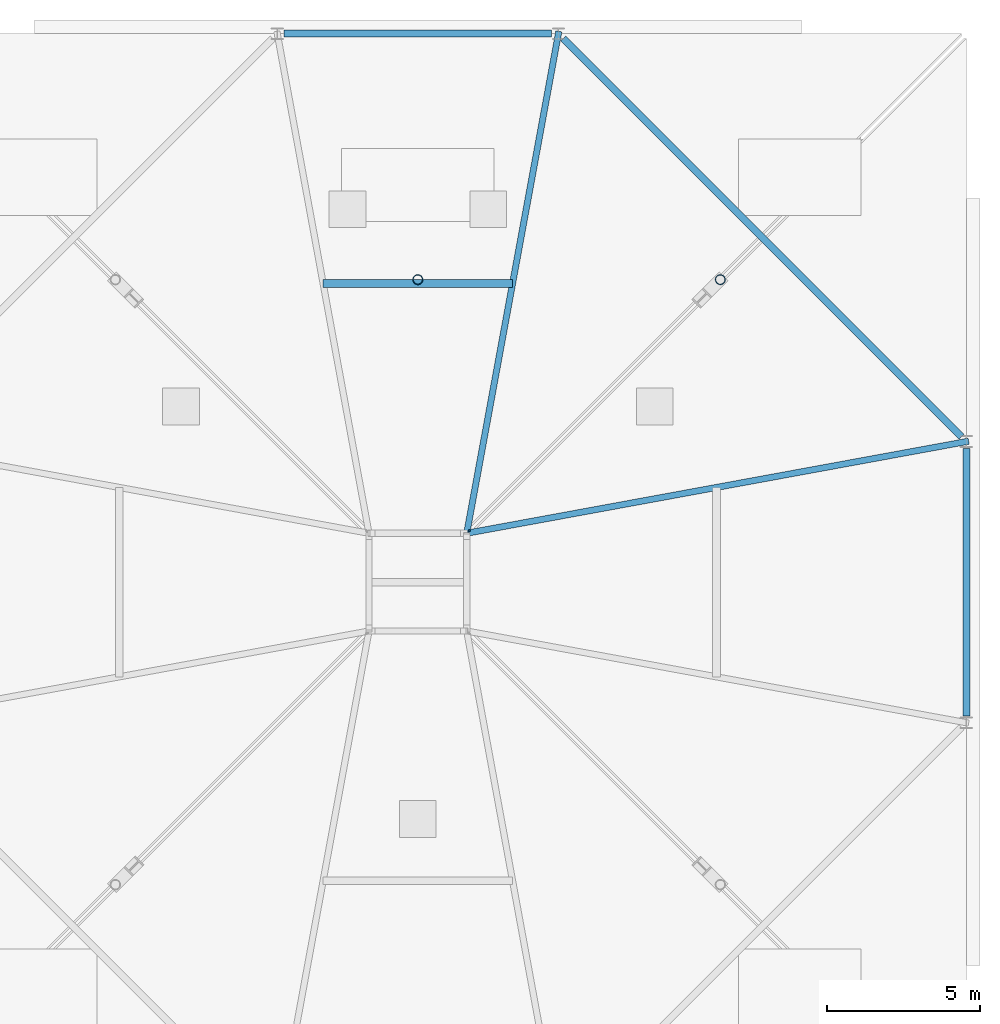
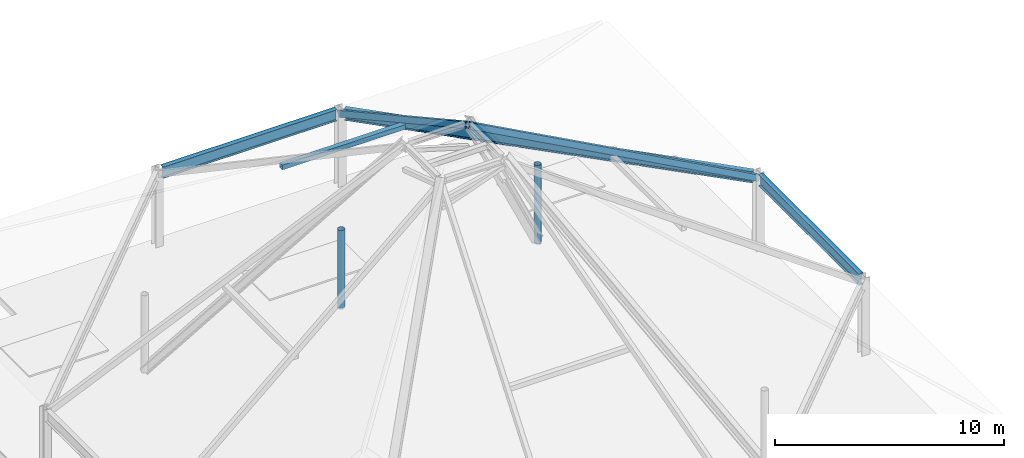
# One storey, part 5 of 7: 5 members, 3 beams.
"""IFC4 building model written with IfcOpenShell, lengths in metres."""

import ifcopenshell
import ifcopenshell.guid

model = None  # the IFC model being written
_history = None  # IfcOwnerHistory: only IFC2X3 demands one
_inside = {}  # id of a spatial element -> (the spatial element, [elements in it])
_under = {}  # id of a project, library or spatial element -> (it, [spatial elements below it])
_declared = {}  # id of a project -> (the project, [libraries it declares])
_typed = {}  # id of a type object -> (the type object, [elements of that type])
_made_of = {}  # id of a material, layer set ... -> (it, [elements and type objects made of it])


def new_model(schema):
    """Start an empty IFC model of exactly this schema.

    Asked for "IFC4X3", IfcOpenShell would pick the latest addendum, in which some entities
    have other attributes; the version numbers below select the first issue.
    IFC2X3 requires an IfcOwnerHistory on every rooted entity: one is made here for all.
    """
    global model, _history
    if schema == "IFC4X3":
        model = ifcopenshell.file(schema_version=(4, 3, 0, 0))
    else:
        model = ifcopenshell.file(schema=schema)
    _inside.clear()
    _under.clear()
    _declared.clear()
    _typed.clear()
    _made_of.clear()
    _history = None
    if model.schema == "IFC2X3":
        org = make("IfcOrganization", Name="unknown")
        user = make(
            "IfcPersonAndOrganization",
            ThePerson=make("IfcPerson", FamilyName="unknown"),
            TheOrganization=org,
        )
        app = make(
            "IfcApplication",
            ApplicationDeveloper=org,
            Version="unknown",
            ApplicationFullName="unknown",
            ApplicationIdentifier="unknown",
        )
        _history = make(
            "IfcOwnerHistory",
            OwningUser=user,
            OwningApplication=app,
            ChangeAction="ADDED",
            CreationDate=0,
        )
    return model


def make(cls, **values):
    """One entity of the class cls with the attributes given. An attribute that is None is left unset."""
    return model.create_entity(
        cls, **{name: value for name, value in values.items() if value is not None}
    )


def rooted(cls, **values):
    """An entity with a GlobalId (a new one), such as an element, a storey or a relation."""
    return make(cls, GlobalId=ifcopenshell.guid.new(), OwnerHistory=_history, **values)


def si_unit(unit_type, name, prefix=None):
    """IfcSIUnit, for example si_unit("LENGTHUNIT", "METRE", prefix="MILLI")."""
    return make("IfcSIUnit", UnitType=unit_type, Prefix=prefix, Name=name)


def assignment(units):
    """IfcUnitAssignment: the units of a project."""
    return None if units is None else make("IfcUnitAssignment", Units=units)


def point(xyz):
    """IfcCartesianPoint."""
    return None if xyz is None else make("IfcCartesianPoint", Coordinates=xyz)


def direction(xyz):
    """IfcDirection."""
    return None if xyz is None else make("IfcDirection", DirectionRatios=xyz)


def frame(location, z_axis=None, x_axis=None):
    """IfcAxis2Placement3D, a coordinate frame: its origin and axes. An axis left out is left unset."""
    return make(
        "IfcAxis2Placement3D",
        Location=point(location),
        Axis=direction(z_axis),
        RefDirection=direction(x_axis),
    )


def frame_2d(location, x_axis=None):
    """IfcAxis2Placement2D, a coordinate frame in the plane: its origin and x axis."""
    return make(
        "IfcAxis2Placement2D", Location=point(location), RefDirection=direction(x_axis)
    )


def origin():
    """The frame at (0, 0, 0) with its axes left unset."""
    return frame((0.0, 0.0, 0.0))


def origin_2d():
    """The frame at (0, 0) in the plane with its x axis left unset."""
    return frame_2d((0.0, 0.0))


def place(relative_to, where):
    """IfcLocalPlacement: puts the frame where relative to a parent placement (None: the world)."""
    return make(
        "IfcLocalPlacement", PlacementRelTo=relative_to, RelativePlacement=where
    )


def context(
    kind, dimensions, precision=None, world=None, true_north=None, identifier=None
):
    """IfcGeometricRepresentationContext, for example the 3D "Model" context."""
    return make(
        "IfcGeometricRepresentationContext",
        ContextIdentifier=identifier,
        ContextType=kind,
        CoordinateSpaceDimension=dimensions,
        Precision=precision,
        WorldCoordinateSystem=world,
        TrueNorth=true_north,
    )


def subcontext(parent, identifier, kind, view, scale=None):
    """IfcGeometricRepresentationSubContext, for example "Body" below "Model"."""
    return make(
        "IfcGeometricRepresentationSubContext",
        ContextIdentifier=identifier,
        ContextType=kind,
        ParentContext=parent,
        TargetScale=scale,
        TargetView=view,
    )


def project(units=None, contexts=None):
    """IfcProject with its units and contexts."""
    return rooted(
        "IfcProject",
        Name="project",
        RepresentationContexts=contexts,
        UnitsInContext=assignment(units),
    )


def spatial(cls, under=None, at=None, **own):
    """A site, building, storey or space (cls), placed at a placement, below another one or the project."""
    s = rooted(cls, ObjectPlacement=at, **own)
    if under is not None:
        _under.setdefault(under.id(), (under, []))[1].append(s)
    return s


def profile(cls, at=None, kind="AREA", **sizes):
    """A parametric profile (cls). Its sizes go by their IFC names, for example OverallWidth=200.0."""
    return make(cls, ProfileType=kind, Position=at, **sizes)


def hollow_rectangle(**sizes):
    """IfcRectangleHollowProfileDef."""
    return profile("IfcRectangleHollowProfileDef", **sizes)


def hollow_circle(**sizes):
    """IfcCircleHollowProfileDef."""
    return profile("IfcCircleHollowProfileDef", **sizes)


def i_section(**sizes):
    """IfcIShapeProfileDef."""
    return profile("IfcIShapeProfileDef", **sizes)


def extrude(swept, where, along, depth):
    """IfcExtrudedAreaSolid: the profile swept, set in the frame where, extruded along a direction by depth."""
    return make(
        "IfcExtrudedAreaSolid",
        SweptArea=swept,
        Position=where,
        ExtrudedDirection=direction(along),
        Depth=depth,
    )


def shape(context_of_items, identifier, shape_type, items):
    """IfcShapeRepresentation: the items that make up one representation, for example the "Body"."""
    return make(
        "IfcShapeRepresentation",
        ContextOfItems=context_of_items,
        RepresentationIdentifier=identifier,
        RepresentationType=shape_type,
        Items=items,
    )


def material(Name=None, Category=None):
    """IfcMaterial."""
    return make("IfcMaterial", Name=Name, Category=Category)


def material_profile(
    of_material, cross_section, Name=None, Category=None, Priority=None
):
    """IfcMaterialProfile: a cross section and its material."""
    return make(
        "IfcMaterialProfile",
        Name=Name,
        Material=of_material,
        Profile=cross_section,
        Priority=Priority,
        Category=Category,
    )


def profile_set(profiles, Name=None, composite=None):
    """IfcMaterialProfileSet."""
    return make(
        "IfcMaterialProfileSet",
        Name=Name,
        MaterialProfiles=profiles,
        CompositeProfile=composite,
    )


def made_of(thing, what):
    """Note that an element or type object is made of a material, layer set ...; save() writes the relation."""
    if what is not None:
        _made_of.setdefault(what.id(), (what, []))[1].append(thing)
    return thing


def type_object(cls, material=None, **own):
    """A type object (cls), such as IfcWallType, which elements share."""
    return made_of(rooted(cls, **own), material)


def element(
    cls,
    number,
    at=None,
    inside=None,
    cuts=None,
    type_object=None,
    material=None,
    context=None,
    identifier="Body",
    shape_type=None,
    held_by="IfcProductDefinitionShape",
    body=None,
    shapes=None,
    **own,
):
    """One element of the class cls, such as IfcWall. Its Tag is "e" and its number.

    at: its placement. inside: the storey or other place that contains it. cuts: it is an
    opening in that element (IfcRelVoidsElement). A single representation is given by context,
    identifier, shape_type and body (its items); several are given by shapes. held_by: the class
    of the entity that holds the representations. save() writes the other relations.
    """
    e = rooted(cls, Tag="e%d" % number, ObjectPlacement=at, **own)
    if body is not None:
        shapes = [shape(context, identifier, shape_type, body)]
    if shapes is not None:
        e.Representation = make(held_by, Representations=shapes)
    if inside is not None:
        _inside.setdefault(inside.id(), (inside, []))[1].append(e)
    if cuts is not None:
        rooted(
            "IfcRelVoidsElement", RelatingBuildingElement=cuts, RelatedOpeningElement=e
        )
    if type_object is not None:
        _typed.setdefault(type_object.id(), (type_object, []))[1].append(e)
    return made_of(e, material)


def aggregate(whole, parts):
    """IfcRelAggregates: a whole, such as a stair, and the parts it consists of."""
    return rooted("IfcRelAggregates", RelatingObject=whole, RelatedObjects=parts)


def save(model, path):
    """Write the relations noted so far, then the file.

    IfcRelAggregates (storeys below a building ...), IfcRelContainedInSpatialStructure (elements
    in a storey), IfcRelDefinesByType, IfcRelAssociatesMaterial and IfcRelDeclares: one each for
    every whole, place, type object, material and project.
    """
    for whole, parts in _under.values():
        aggregate(whole, parts)
    for where, things in _inside.values():
        rooted(
            "IfcRelContainedInSpatialStructure",
            RelatedElements=things,
            RelatingStructure=where,
        )
    for kind, things in _typed.values():
        rooted("IfcRelDefinesByType", RelatedObjects=things, RelatingType=kind)
    for what, things in _made_of.values():
        rooted("IfcRelAssociatesMaterial", RelatedObjects=things, RelatingMaterial=what)
    for by, libraries in _declared.values():
        rooted("IfcRelDeclares", RelatingContext=by, RelatedDefinitions=libraries)
    model.write(path)


model = new_model("IFC4")

# Units and contexts
model_context = context("Model", 3, precision=1e-05, world=origin(), true_north=direction((0.0, 1.0)))
body_context = subcontext(model_context, "Body", "Model", "MODEL_VIEW")
ifc_project = project(units=[si_unit("LENGTHUNIT", "METRE"), si_unit("AREAUNIT", "SQUARE_METRE"), si_unit("VOLUMEUNIT", "CUBIC_METRE"), si_unit("PLANEANGLEUNIT", "RADIAN"), si_unit("MASSUNIT", "GRAM", prefix="KILO")], contexts=[model_context])

# Site, building, storey
site_placement = place(None, origin())
site = spatial("IfcSite", under=ifc_project, at=site_placement, CompositionType="ELEMENT")
building_placement = place(site_placement, origin())
building = spatial("IfcBuilding", under=site, at=building_placement, Name="Kolvaren Belvedere", CompositionType="ELEMENT")
storey_placement = place(building_placement, frame((0.0, 0.0, 287.39990234375)))
storey = spatial("IfcBuildingStorey", under=building, at=storey_placement, Name="RF", CompositionType="ELEMENT", Elevation=287.39990234375)

# Beams
ifc_material_1 = material(Name="Structural steel ASTM A992 Grade 50", Category="steel")
ifc_material_profile_1 = material_profile(ifc_material_1, i_section(OverallWidth=0.22900390625, OverallDepth=0.612060546875, WebThickness=0.011962890625, FlangeThickness=0.01953125, FilletRadius=0.01806640625, at=origin_2d()), Name="W24X84")
ifc_profile_set_1 = profile_set([ifc_material_profile_1], Name="Structural steel ASTM A992 Grade 50")
beam_type = type_object("IfcBeamType", Name="BM-SPAN-W24X84", PredefinedType="SPANDREL", material=ifc_profile_set_1)
beam_1_placement = place(storey_placement, frame((17.949951171875, -4.3798828125, 3.89013671875), z_axis=(0.0, 1.0, 0.0), x_axis=(-1.0, 0.0, 0.0)))
element("IfcBeam", 1, at=beam_1_placement, inside=storey, type_object=beam_type, Name="RF Canopy Eave Ring Spandrel 3", PredefinedType="SPANDREL", context=body_context, shape_type="SweptSolid", body=[
    extrude(i_section(OverallWidth=0.22900390625, OverallDepth=0.612060546875, WebThickness=0.011962890625, FlangeThickness=0.01953125, FilletRadius=0.01806640625, at=origin_2d()), origin(), (0.0, 0.0, 1.0), 8.759765625),
])
beam_2_placement = place(storey_placement, frame((17.79443359375, 4.755615234375, 3.89013671875), z_axis=(-0.707106781187, 0.707106781187, 0.0), x_axis=(-0.707106781187, -0.707106781187, 0.0)))
element("IfcBeam", 2, at=beam_2_placement, inside=storey, type_object=beam_type, Name="RF Canopy Eave Ring Spandrel 4", PredefinedType="SPANDREL", context=body_context, shape_type="SweptSolid", body=[
    extrude(i_section(OverallWidth=0.22900390625, OverallDepth=0.612060546875, WebThickness=0.011962890625, FlangeThickness=0.01953125, FilletRadius=0.01806640625, at=origin_2d()), origin(), (0.0, 0.0, 1.0), 18.439697265625),
])
beam_3_placement = place(storey_placement, frame((4.3798828125, 17.949951171875, 3.89013671875), z_axis=(-1.0, 0.0, 0.0), x_axis=(0.0, -1.0, 0.0)))
element("IfcBeam", 3, at=beam_3_placement, inside=storey, type_object=beam_type, Name="RF Canopy Eave Ring Spandrel 5", PredefinedType="SPANDREL", context=body_context, shape_type="SweptSolid", body=[
    extrude(i_section(OverallWidth=0.22900390625, OverallDepth=0.612060546875, WebThickness=0.011962890625, FlangeThickness=0.01953125, FilletRadius=0.01806640625, at=origin_2d()), origin(), (0.0, 0.0, 1.0), 8.759765625),
])

# Members
ifc_material_2 = material(Name="Structural steel ASTM A500 Grade C", Category="steel")
ifc_material_profile_2 = material_profile(ifc_material_2, hollow_circle(Radius=0.162109375, WallThickness=0.01171875, at=origin_2d()), Name="HSS12.750X0.500")
ifc_profile_set_2 = profile_set([ifc_material_profile_2], Name="Structural steel ASTM A500 Grade C")
member_type_1 = type_object("IfcMemberType", Name="MB-CAN-POST", PredefinedType="POST", material=ifc_profile_set_2)
for number, where, z_axis, x_axis, name in (
    (4, (9.89990234375, 9.89990234375, 0.0), (0.0, 0.0, 1.0), (1.0, 0.0, 0.0), "RF Canopy Interior Strut Post 3"),
    (5, (0.0, 9.89990234375, 0.0), (0.0, 0.0, 1.0), (1.0, 0.0, 0.0), "RF Canopy North Strut Post 5"),
):
    element("IfcMember", number, at=place(storey_placement, frame(where, z_axis=z_axis, x_axis=x_axis)), inside=storey, type_object=member_type_1, Name=name, PredefinedType="POST", context=body_context, shape_type="SweptSolid", body=[
        extrude(hollow_circle(Radius=0.162109375, WallThickness=0.01171875, at=origin_2d()), origin(), (0.0, 0.0, 1.0), 4.2001953125),
    ])
ifc_material_3 = material(Name="Structural steel ASTM A500 Grade C", Category="steel")
ifc_material_profile_3 = material_profile(ifc_material_3, hollow_rectangle(XDim=0.25390625, YDim=0.25390625, WallThickness=0.01171875, at=origin_2d()), Name="HSS10X10X1/2")
ifc_profile_set_3 = profile_set([ifc_material_profile_3], Name="Structural steel ASTM A500 Grade C")
member_type_2 = type_object("IfcMemberType", Name="MB-CAN-PURLIN", PredefinedType="MEMBER", material=ifc_profile_set_3)
member_placement = place(storey_placement, frame((3.10009765625, 9.77490234375, 8.68505859375), z_axis=(-1.0, 0.0, 0.0), x_axis=(0.0, -1.0, 0.0)))
element("IfcMember", 6, at=member_placement, inside=storey, type_object=member_type_2, Name="RF Canopy Mid-Slope Member 3", PredefinedType="MEMBER", context=body_context, shape_type="SweptSolid", body=[
    extrude(hollow_rectangle(XDim=0.25390625, YDim=0.25390625, WallThickness=0.01171875, at=origin_2d()), origin(), (0.0, 0.0, 1.0), 6.2001953125),
])
ifc_material_4 = material(Name="Structural steel ASTM A500 Grade C", Category="steel")
ifc_material_profile_4 = material_profile(ifc_material_4, hollow_rectangle(XDim=0.202880859375, YDim=0.304931640625, WallThickness=0.01171875, at=origin_2d()), Name="HSS12X8X1/2")
ifc_profile_set_4 = profile_set([ifc_material_profile_4], Name="Structural steel ASTM A500 Grade C")
member_type_3 = type_object("IfcMemberType", Name="MB-CAN-RAFTER", PredefinedType="CHORD", material=ifc_profile_set_4)
for number, where, z_axis, x_axis, name in (
    (7, (17.949951171875, 4.60009765625, 3.85009765625), (-0.834956585234, -0.153204415765, 0.528560221512), (0.180474935069, -0.983579583873, 0.0), "RF Canopy Mid-Face Chord 2"),
    (8, (4.60009765625, 17.949951171875, 3.85009765625), (-0.153204415765, -0.834956585234, 0.528560221512), (0.983579583873, -0.180474935069, 0.0), "RF Canopy Hip Chord 3"),
):
    element("IfcMember", number, at=place(storey_placement, frame(where, z_axis=z_axis, x_axis=x_axis)), inside=storey, type_object=member_type_3, Name=name, PredefinedType="CHORD", context=body_context, shape_type="SweptSolid", body=[
        extrude(hollow_rectangle(XDim=0.202880859375, YDim=0.304931640625, WallThickness=0.01171875, at=origin_2d()), origin(), (0.0, 0.0, 1.0), 19.581787109375),
    ])

save(model, "model.ifc")
